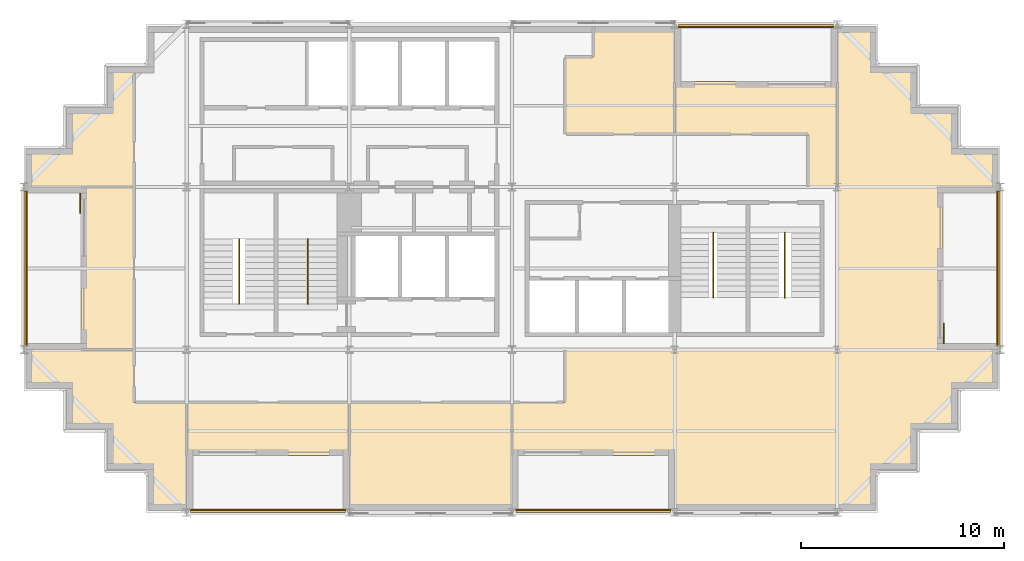
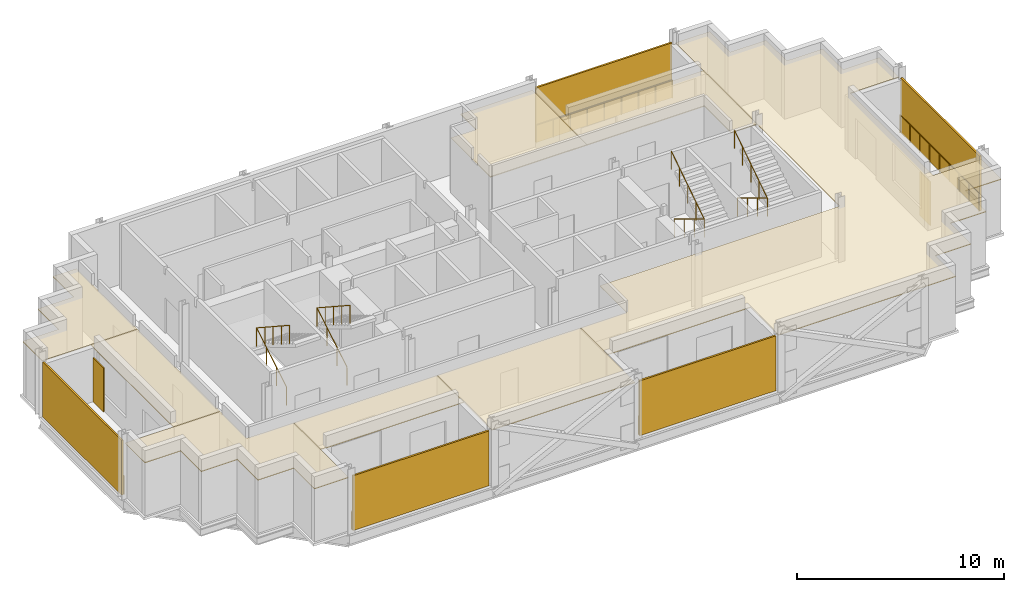
# One storey, part 8 of 8: 9 railings, 8 coverings, 7 shading devices.
"""IFC4 building model written with IfcOpenShell, lengths in metres."""

from ifc_helpers import new_model, si_unit, direction, frame, origin, origin_2d, place, context, subcontext, project, spatial, polyline, rectangle, circle, outline, extrude, material, layer, layer_set, type_object, element, save


model = new_model("IFC4")

# Units and contexts
model_context = context("Model", 3, precision=1e-05, world=origin(), true_north=direction((0.0, 1.0)))
body_context = subcontext(model_context, "Body", "Model", "MODEL_VIEW")
ifc_project = project(units=[si_unit("LENGTHUNIT", "METRE"), si_unit("AREAUNIT", "SQUARE_METRE"), si_unit("VOLUMEUNIT", "CUBIC_METRE"), si_unit("PLANEANGLEUNIT", "RADIAN"), si_unit("MASSUNIT", "GRAM", prefix="KILO")], contexts=[model_context])

# Site, building, storey
site_placement = place(None, origin())
site = spatial("IfcSite", under=ifc_project, at=site_placement, CompositionType="ELEMENT")
building_placement = place(site_placement, origin())
building = spatial("IfcBuilding", under=site, at=building_placement, Name="Immortelle Media Tower", CompositionType="ELEMENT")
storey_placement = place(building_placement, frame((0.0, 0.0, 267.0)))
storey = spatial("IfcBuildingStorey", under=building, at=storey_placement, Name="L58", CompositionType="ELEMENT", Elevation=267.0)

# Railings
ifc_material_1 = material(Name="Powder-coated aluminium fretwork panel, laminated glass backing", Category="aluminium")
railing_type_1 = type_object("IfcRailingType", Name="Fretwork balustrade 1100", PredefinedType="BALUSTRADE", material=ifc_material_1)
railing_1_placement = place(storey_placement, frame((8.197021484375, 0.139892578125, 0.0)))
element("IfcRailing", 1, at=railing_1_placement, inside=storey, type_object=railing_type_1, Name="Fretwork balustrade L58 S0", PredefinedType="BALUSTRADE", context=body_context, shape_type="SweptSolid", body=[
    extrude(circle(Radius=0.02490234375, at=origin_2d()), frame((0.0, 0.0, 1.0751953125), z_axis=(1.0, 0.0, 0.0), x_axis=(0.0, 1.0, 0.0)), (0.0, 0.0, 1.0), 7.6025390625),
    extrude(circle(Radius=0.02001953125, at=origin_2d()), origin(), (0.0, 0.0, 1.0), 1.050048828125),
    extrude(circle(Radius=0.02001953125, at=origin_2d()), frame((0.9501953125, 0.0, 0.0)), (0.0, 0.0, 1.0), 1.050048828125),
    extrude(circle(Radius=0.02001953125, at=origin_2d()), frame((1.900634765625, 0.0, 0.0)), (0.0, 0.0, 1.0), 1.050048828125),
    extrude(circle(Radius=0.02001953125, at=origin_2d()), frame((2.85107421875, 0.0, 0.0)), (0.0, 0.0, 1.0), 1.050048828125),
    extrude(circle(Radius=0.02001953125, at=origin_2d()), frame((3.80126953125, 0.0, 0.0)), (0.0, 0.0, 1.0), 1.050048828125),
    extrude(circle(Radius=0.02001953125, at=origin_2d()), frame((4.75146484375, 0.0, 0.0)), (0.0, 0.0, 1.0), 1.050048828125),
    extrude(circle(Radius=0.02001953125, at=origin_2d()), frame((5.701904296875, 0.0, 0.0)), (0.0, 0.0, 1.0), 1.050048828125),
    extrude(circle(Radius=0.02001953125, at=origin_2d()), frame((6.65234375, 0.0, 0.0)), (0.0, 0.0, 1.0), 1.050048828125),
    extrude(circle(Radius=0.02001953125, at=origin_2d()), frame((7.6025390625, 0.0, 0.0)), (0.0, 0.0, 1.0), 1.050048828125),
])
railing_2_placement = place(storey_placement, frame((24.200439453125, 0.139892578125, 0.0)))
element("IfcRailing", 2, at=railing_2_placement, inside=storey, type_object=railing_type_1, Name="Fretwork balustrade L58 S2", PredefinedType="BALUSTRADE", context=body_context, shape_type="SweptSolid", body=[
    extrude(circle(Radius=0.02490234375, at=origin_2d()), frame((0.0, 0.0, 1.0751953125), z_axis=(1.0, 0.0, 0.0), x_axis=(0.0, 1.0, 0.0)), (0.0, 0.0, 1.0), 7.59912109375),
    extrude(circle(Radius=0.02001953125, at=origin_2d()), origin(), (0.0, 0.0, 1.0), 1.050048828125),
    extrude(circle(Radius=0.02001953125, at=origin_2d()), frame((0.949951171875, 0.0, 0.0)), (0.0, 0.0, 1.0), 1.050048828125),
    extrude(circle(Radius=0.02001953125, at=origin_2d()), frame((1.89990234375, 0.0, 0.0)), (0.0, 0.0, 1.0), 1.050048828125),
    extrude(circle(Radius=0.02001953125, at=origin_2d()), frame((2.849609375, 0.0, 0.0)), (0.0, 0.0, 1.0), 1.050048828125),
    extrude(circle(Radius=0.02001953125, at=origin_2d()), frame((3.799560546875, 0.0, 0.0)), (0.0, 0.0, 1.0), 1.050048828125),
    extrude(circle(Radius=0.02001953125, at=origin_2d()), frame((4.74951171875, 0.0, 0.0)), (0.0, 0.0, 1.0), 1.050048828125),
    extrude(circle(Radius=0.02001953125, at=origin_2d()), frame((5.69921875, 0.0, 0.0)), (0.0, 0.0, 1.0), 1.050048828125),
    extrude(circle(Radius=0.02001953125, at=origin_2d()), frame((6.649169921875, 0.0, 0.0)), (0.0, 0.0, 1.0), 1.050048828125),
    extrude(circle(Radius=0.02001953125, at=origin_2d()), frame((7.59912109375, 0.0, 0.0)), (0.0, 0.0, 1.0), 1.050048828125),
])
railing_3_placement = place(storey_placement, frame((47.860107421875, 8.18798828125, 0.0)))
element("IfcRailing", 3, at=railing_3_placement, inside=storey, type_object=railing_type_1, Name="Fretwork balustrade L58 E0", PredefinedType="BALUSTRADE", context=body_context, shape_type="SweptSolid", body=[
    extrude(circle(Radius=0.02490234375, at=origin_2d()), frame((0.0, 0.0, 1.0751953125), z_axis=(0.0, 1.0, 0.0), x_axis=(-1.0, 0.0, 0.0)), (0.0, 0.0, 1.0), 7.6240234375),
    extrude(circle(Radius=0.02001953125, at=origin_2d()), origin(), (0.0, 0.0, 1.0), 1.050048828125),
    extrude(circle(Radius=0.02001953125, at=origin_2d()), frame((0.0, 0.953125, 0.0)), (0.0, 0.0, 1.0), 1.050048828125),
    extrude(circle(Radius=0.02001953125, at=origin_2d()), frame((0.0, 1.906005859375, 0.0)), (0.0, 0.0, 1.0), 1.050048828125),
    extrude(circle(Radius=0.02001953125, at=origin_2d()), frame((0.0, 2.85888671875, 0.0)), (0.0, 0.0, 1.0), 1.050048828125),
    extrude(circle(Radius=0.02001953125, at=origin_2d()), frame((0.0, 3.81201171875, 0.0)), (0.0, 0.0, 1.0), 1.050048828125),
    extrude(circle(Radius=0.02001953125, at=origin_2d()), frame((0.0, 4.76513671875, 0.0)), (0.0, 0.0, 1.0), 1.050048828125),
    extrude(circle(Radius=0.02001953125, at=origin_2d()), frame((0.0, 5.718017578125, 0.0)), (0.0, 0.0, 1.0), 1.050048828125),
    extrude(circle(Radius=0.02001953125, at=origin_2d()), frame((0.0, 6.6708984375, 0.0)), (0.0, 0.0, 1.0), 1.050048828125),
    extrude(circle(Radius=0.02001953125, at=origin_2d()), frame((0.0, 7.6240234375, 0.0)), (0.0, 0.0, 1.0), 1.050048828125),
])
railing_4_placement = place(storey_placement, frame((39.802978515625, 23.860107421875, 0.0)))
element("IfcRailing", 4, at=railing_4_placement, inside=storey, type_object=railing_type_1, Name="Fretwork balustrade L58 N0", PredefinedType="BALUSTRADE", context=body_context, shape_type="SweptSolid", body=[
    extrude(circle(Radius=0.02490234375, at=origin_2d()), frame((0.0, 0.0, 1.0751953125), z_axis=(-1.0, 0.0, 0.0), x_axis=(0.0, -1.0, 0.0)), (0.0, 0.0, 1.0), 7.6025390625),
    extrude(circle(Radius=0.02001953125, at=origin_2d()), origin(), (0.0, 0.0, 1.0), 1.050048828125),
    extrude(circle(Radius=0.02001953125, at=origin_2d()), frame((-0.9501953125, 0.0, 0.0)), (0.0, 0.0, 1.0), 1.050048828125),
    extrude(circle(Radius=0.02001953125, at=origin_2d()), frame((-1.900634765625, 0.0, 0.0)), (0.0, 0.0, 1.0), 1.050048828125),
    extrude(circle(Radius=0.02001953125, at=origin_2d()), frame((-2.85107421875, 0.0, 0.0)), (0.0, 0.0, 1.0), 1.050048828125),
    extrude(circle(Radius=0.02001953125, at=origin_2d()), frame((-3.80126953125, 0.0, 0.0)), (0.0, 0.0, 1.0), 1.050048828125),
    extrude(circle(Radius=0.02001953125, at=origin_2d()), frame((-4.75146484375, 0.0, 0.0)), (0.0, 0.0, 1.0), 1.050048828125),
    extrude(circle(Radius=0.02001953125, at=origin_2d()), frame((-5.701904296875, 0.0, 0.0)), (0.0, 0.0, 1.0), 1.050048828125),
    extrude(circle(Radius=0.02001953125, at=origin_2d()), frame((-6.65234375, 0.0, 0.0)), (0.0, 0.0, 1.0), 1.050048828125),
    extrude(circle(Radius=0.02001953125, at=origin_2d()), frame((-7.6025390625, 0.0, 0.0)), (0.0, 0.0, 1.0), 1.050048828125),
])
railing_5_placement = place(storey_placement, frame((0.139892578125, 15.81201171875, 0.0)))
element("IfcRailing", 5, at=railing_5_placement, inside=storey, type_object=railing_type_1, Name="Fretwork balustrade L58 W0", PredefinedType="BALUSTRADE", context=body_context, shape_type="SweptSolid", body=[
    extrude(circle(Radius=0.02490234375, at=origin_2d()), frame((0.0, 0.0, 1.0751953125), z_axis=(0.0, -1.0, 0.0), x_axis=(1.0, 0.0, 0.0)), (0.0, 0.0, 1.0), 7.6240234375),
    extrude(circle(Radius=0.02001953125, at=origin_2d()), origin(), (0.0, 0.0, 1.0), 1.050048828125),
    extrude(circle(Radius=0.02001953125, at=origin_2d()), frame((0.0, -0.953125, 0.0)), (0.0, 0.0, 1.0), 1.050048828125),
    extrude(circle(Radius=0.02001953125, at=origin_2d()), frame((0.0, -1.906005859375, 0.0)), (0.0, 0.0, 1.0), 1.050048828125),
    extrude(circle(Radius=0.02001953125, at=origin_2d()), frame((0.0, -2.85888671875, 0.0)), (0.0, 0.0, 1.0), 1.050048828125),
    extrude(circle(Radius=0.02001953125, at=origin_2d()), frame((0.0, -3.81201171875, 0.0)), (0.0, 0.0, 1.0), 1.050048828125),
    extrude(circle(Radius=0.02001953125, at=origin_2d()), frame((0.0, -4.76513671875, 0.0)), (0.0, 0.0, 1.0), 1.050048828125),
    extrude(circle(Radius=0.02001953125, at=origin_2d()), frame((0.0, -5.718017578125, 0.0)), (0.0, 0.0, 1.0), 1.050048828125),
    extrude(circle(Radius=0.02001953125, at=origin_2d()), frame((0.0, -6.6708984375, 0.0)), (0.0, 0.0, 1.0), 1.050048828125),
    extrude(circle(Radius=0.02001953125, at=origin_2d()), frame((0.0, -7.6240234375, 0.0)), (0.0, 0.0, 1.0), 1.050048828125),
])

# Shading devices
ifc_material_2 = material(Name="Pale aluminium louvre blades", Category="aluminium")
ifc_layer_1 = layer(ifc_material_2, 0.10009765625)
ifc_layer_set_1 = layer_set([ifc_layer_1], Name="Pale aluminium louvre blades")
shading_device_type_1 = type_object("IfcShadingDeviceType", Name="Jalousie screen 100", PredefinedType="JALOUSIE", material=ifc_layer_set_1)
shading_device_1_placement = place(storey_placement, frame((11.998291015625, 0.050048828125, 0.0), z_axis=(0.0, 0.0, 1.0), x_axis=(1.0, 0.0, 0.0)))
element("IfcShadingDevice", 6, at=shading_device_1_placement, inside=storey, type_object=shading_device_type_1, Name="Jalousie screen L58 S0", PredefinedType="JALOUSIE", context=body_context, shape_type="SweptSolid", body=[
    extrude(rectangle(XDim=7.6025390625, YDim=0.10009765625, at=origin_2d()), origin(), (0.0, 0.0, 1.0), 3.238037109375),
])
shading_device_2_placement = place(storey_placement, frame((28.0, 0.050048828125, 0.0), z_axis=(0.0, 0.0, 1.0), x_axis=(1.0, 0.0, 0.0)))
element("IfcShadingDevice", 7, at=shading_device_2_placement, inside=storey, type_object=shading_device_type_1, Name="Jalousie screen L58 S2", PredefinedType="JALOUSIE", context=body_context, shape_type="SweptSolid", body=[
    extrude(rectangle(XDim=7.59912109375, YDim=0.10009765625, at=origin_2d()), origin(), (0.0, 0.0, 1.0), 3.238037109375),
])
shading_device_3_placement = place(storey_placement, frame((47.949951171875, 12.0, 0.0), z_axis=(0.0, 0.0, 1.0), x_axis=(0.0, 1.0, 0.0)))
element("IfcShadingDevice", 8, at=shading_device_3_placement, inside=storey, type_object=shading_device_type_1, Name="Jalousie screen L58 E0", PredefinedType="JALOUSIE", context=body_context, shape_type="SweptSolid", body=[
    extrude(rectangle(XDim=7.6240234375, YDim=0.10009765625, at=origin_2d()), origin(), (0.0, 0.0, 1.0), 3.238037109375),
])
shading_device_4_placement = place(storey_placement, frame((36.001708984375, 23.949951171875, 0.0), z_axis=(0.0, 0.0, 1.0), x_axis=(-1.0, 0.0, 0.0)))
element("IfcShadingDevice", 9, at=shading_device_4_placement, inside=storey, type_object=shading_device_type_1, Name="Jalousie screen L58 N0", PredefinedType="JALOUSIE", context=body_context, shape_type="SweptSolid", body=[
    extrude(rectangle(XDim=7.6025390625, YDim=0.10009765625, at=origin_2d()), origin(), (0.0, 0.0, 1.0), 3.238037109375),
])
shading_device_5_placement = place(storey_placement, frame((0.050048828125, 12.0, 0.0), z_axis=(0.0, 0.0, 1.0), x_axis=(0.0, -1.0, 0.0)))
element("IfcShadingDevice", 10, at=shading_device_5_placement, inside=storey, type_object=shading_device_type_1, Name="Jalousie screen L58 W0", PredefinedType="JALOUSIE", context=body_context, shape_type="SweptSolid", body=[
    extrude(rectangle(XDim=7.6240234375, YDim=0.10009765625, at=origin_2d()), origin(), (0.0, 0.0, 1.0), 3.238037109375),
])
ifc_material_3 = material(Name="Pale aluminium louvre blades in a folding frame", Category="aluminium")
ifc_layer_2 = layer(ifc_material_3, 0.050048828125)
ifc_layer_set_2 = layer_set([ifc_layer_2], Name="Pale aluminium louvre blades in a folding frame")
shading_device_type_2 = type_object("IfcShadingDeviceType", Name="Louvred loggia shutter", PredefinedType="SHUTTER", material=ifc_layer_set_2)
for number, where, z_axis, x_axis, name in (
    (11, (45.22509765625, 8.800048828125, 0.0), (0.0, 0.0, 1.0), (0.0, 1.0, 0.0), "Loggia shutter L58 E0"),
    (12, (2.77490234375, 15.199951171875, 0.0), (0.0, 0.0, 1.0), (0.0, -1.0, 0.0), "Loggia shutter L58 W0"),
):
    element("IfcShadingDevice", number, at=place(storey_placement, frame(where, z_axis=z_axis, x_axis=x_axis)), inside=storey, type_object=shading_device_type_2, Name=name, PredefinedType="SHUTTER", context=body_context, shape_type="SweptSolid", body=[
        extrude(rectangle(XDim=1.0, YDim=0.050048828125, at=origin_2d()), origin(), (0.0, 0.0, 1.0), 2.60009765625),
    ])

# Railings
ifc_material_4 = material(Name="Stainless steel AISI 316", Category="steel")
railing_type_2 = type_object("IfcRailingType", Name="Stair guard 1100", PredefinedType="GUARDRAIL", material=ifc_material_4)
for number, where, name in (
    (13, (10.574951171875, 10.5400390625, 0.173828125), "Stair guard SW1"),
    (14, (13.949951171875, 10.5400390625, 0.173828125), "Stair guard SW2"),
):
    element("IfcRailing", number, at=place(storey_placement, frame(where)), inside=storey, type_object=railing_type_2, Name=name, PredefinedType="GUARDRAIL", context=body_context, shape_type="SweptSolid", body=[
        extrude(circle(Radius=0.02392578125, at=origin_2d()), frame((0.0, 0.0, 1.076171875), z_axis=(0.0, 0.857582100076, 0.514347102285), x_axis=(-1.0, 0.0, 0.0)), (0.0, 0.0, 1.0), 3.381591796875),
        extrude(circle(Radius=0.02392578125, at=origin_2d()), frame((0.0, 2.89990234375, 2.8154296875), z_axis=(0.0, -0.836827423118, 0.547466769693), x_axis=(1.0, 0.0, 0.0)), (0.0, 0.0, 1.0), 3.81201171875),
        extrude(circle(Radius=0.02099609375, at=origin_2d()), origin(), (0.0, 0.0, 1.0), 1.052001953125),
        extrude(circle(Radius=0.02099609375, at=origin_2d()), frame((0.0, 0.966552734375, 0.579833984375)), (0.0, 0.0, 1.0), 1.052001953125),
        extrude(circle(Radius=0.02099609375, at=origin_2d()), frame((0.0, 1.933349609375, 1.159423828125)), (0.0, 0.0, 1.0), 1.052001953125),
        extrude(circle(Radius=0.02099609375, at=origin_2d()), frame((0.0, 2.89990234375, 1.7392578125)), (0.0, 0.0, 1.0), 1.052001953125),
        extrude(circle(Radius=0.02099609375, at=origin_2d()), frame((0.0, 2.1025390625, 2.260986328125)), (0.0, 0.0, 1.0), 1.052001953125),
        extrude(circle(Radius=0.02099609375, at=origin_2d()), frame((0.0, 1.304931640625, 2.78271484375)), (0.0, 0.0, 1.0), 1.052001953125),
        extrude(circle(Radius=0.02099609375, at=origin_2d()), frame((0.0, 0.50732421875, 3.304443359375)), (0.0, 0.0, 1.0), 1.052001953125),
        extrude(circle(Radius=0.02099609375, at=origin_2d()), frame((0.0, -0.2900390625, 3.826171875)), (0.0, 0.0, 1.0), 1.052001953125),
    ])
for number, where, name in (
    (15, (33.89990234375, 13.4599609375, 0.173828125), "Stair guard SE1"),
    (16, (37.425048828125, 13.4599609375, 0.173828125), "Stair guard SE2"),
):
    element("IfcRailing", number, at=place(storey_placement, frame(where)), inside=storey, type_object=railing_type_2, Name=name, PredefinedType="GUARDRAIL", context=body_context, shape_type="SweptSolid", body=[
        extrude(circle(Radius=0.02392578125, at=origin_2d()), frame((0.0, 0.0, 1.076171875), z_axis=(0.0, -0.857582100076, 0.514347102285), x_axis=(1.0, 0.0, 0.0)), (0.0, 0.0, 1.0), 3.381591796875),
        extrude(circle(Radius=0.02392578125, at=origin_2d()), frame((0.0, -2.89990234375, 2.8154296875), z_axis=(0.0, 0.836827423118, 0.547466769693), x_axis=(-1.0, 0.0, 0.0)), (0.0, 0.0, 1.0), 3.81201171875),
        extrude(circle(Radius=0.02099609375, at=origin_2d()), origin(), (0.0, 0.0, 1.0), 1.052001953125),
        extrude(circle(Radius=0.02099609375, at=origin_2d()), frame((0.0, -0.966552734375, 0.579833984375)), (0.0, 0.0, 1.0), 1.052001953125),
        extrude(circle(Radius=0.02099609375, at=origin_2d()), frame((0.0, -1.933349609375, 1.159423828125)), (0.0, 0.0, 1.0), 1.052001953125),
        extrude(circle(Radius=0.02099609375, at=origin_2d()), frame((0.0, -2.89990234375, 1.7392578125)), (0.0, 0.0, 1.0), 1.052001953125),
        extrude(circle(Radius=0.02099609375, at=origin_2d()), frame((0.0, -2.1025390625, 2.260986328125)), (0.0, 0.0, 1.0), 1.052001953125),
        extrude(circle(Radius=0.02099609375, at=origin_2d()), frame((0.0, -1.304931640625, 2.78271484375)), (0.0, 0.0, 1.0), 1.052001953125),
        extrude(circle(Radius=0.02099609375, at=origin_2d()), frame((0.0, -0.50732421875, 3.304443359375)), (0.0, 0.0, 1.0), 1.052001953125),
        extrude(circle(Radius=0.02099609375, at=origin_2d()), frame((0.0, 0.2900390625, 3.826171875)), (0.0, 0.0, 1.0), 1.052001953125),
    ])

# Coverings
ifc_material_5 = material(Name="Mineral fibre tile ceiling")
ifc_layer_3 = layer(ifc_material_5, 0.050048828125)
ifc_layer_set_3 = layer_set([ifc_layer_3], Name="Mineral fibre tile ceiling")
covering_type = type_object("IfcCoveringType", Name="Suspended ceiling 50", PredefinedType="CEILING", material=ifc_layer_set_3)
covering_1_placement = place(storey_placement, frame((0.0, 0.0, 3.1220703125)))
element("IfcCovering", 17, at=covering_1_placement, inside=storey, type_object=covering_type, Name="Ceiling L58-001", PredefinedType="CEILING", context=body_context, shape_type="SweptSolid", body=[
    extrude(outline(polyline([(16.0, 0.10009765625), (16.0, 2.800048828125), (16.0, 5.39990234375), (24.0, 5.39990234375), (24.0, 2.800048828125), (24.0, 0.10009765625), (16.0, 0.10009765625)])), origin(), (0.0, 0.0, 1.0), 0.050048828125),
])
covering_2_placement = place(storey_placement, frame((0.0, 0.0, 3.1220703125)))
element("IfcCovering", 18, at=covering_2_placement, inside=storey, type_object=covering_type, Name="Ceiling L58-002", PredefinedType="CEILING", context=body_context, shape_type="SweptSolid", body=[
    extrude(outline(polyline([(8.0, 2.800048828125), (8.0, 5.39990234375), (16.0, 5.39990234375), (16.0, 2.800048828125), (8.0, 2.800048828125)])), origin(), (0.0, 0.0, 1.0), 0.050048828125),
])
covering_3_placement = place(storey_placement, frame((0.0, 0.0, 3.1220703125)))
element("IfcCovering", 19, at=covering_3_placement, inside=storey, type_object=covering_type, Name="Ceiling L58-003", PredefinedType="CEILING", context=body_context, shape_type="SweptSolid", body=[
    extrude(outline(polyline([(4.10009765625, 2.10009765625), (4.10009765625, 4.10009765625), (4.0, 4.10009765625), (2.10009765625, 4.10009765625), (2.10009765625, 6.10009765625), (0.10009765625, 6.10009765625), (0.10009765625, 8.0), (2.800048828125, 8.0), (4.0, 8.0), (5.39990234375, 8.0), (5.39990234375, 5.39990234375), (8.0, 5.39990234375), (8.0, 2.800048828125), (8.0, 0.10009765625), (6.10009765625, 0.10009765625), (6.10009765625, 2.10009765625), (4.10009765625, 2.10009765625)])), origin(), (0.0, 0.0, 1.0), 0.050048828125),
])
covering_4_placement = place(storey_placement, frame((0.0, 0.0, 3.1220703125)))
element("IfcCovering", 20, at=covering_4_placement, inside=storey, type_object=covering_type, Name="Ceiling L58-004", PredefinedType="CEILING", context=body_context, shape_type="SweptSolid", body=[
    extrude(outline(polyline([(26.60009765625, 5.39990234375), (26.60009765625, 8.0), (32.0, 8.0), (40.0, 8.0), (40.0, 16.0), (40.0, 21.199951171875), (40.0, 23.89990234375), (41.89990234375, 23.89990234375), (41.89990234375, 21.89990234375), (43.89990234375, 21.89990234375), (43.89990234375, 19.89990234375), (45.89990234375, 19.89990234375), (45.89990234375, 17.89990234375), (47.89990234375, 17.89990234375), (47.89990234375, 16.0), (45.199951171875, 16.0), (45.199951171875, 8.0), (47.89990234375, 8.0), (47.89990234375, 6.10009765625), (45.89990234375, 6.10009765625), (45.89990234375, 4.10009765625), (43.89990234375, 4.10009765625), (43.89990234375, 2.10009765625), (41.89990234375, 2.10009765625), (41.89990234375, 0.10009765625), (40.0, 0.10009765625), (32.0, 0.10009765625), (32.0, 2.800048828125), (24.0, 2.800048828125), (24.0, 5.39990234375), (26.60009765625, 5.39990234375)])), origin(), (0.0, 0.0, 1.0), 0.050048828125),
])
covering_5_placement = place(storey_placement, frame((0.0, 0.0, 3.1220703125)))
element("IfcCovering", 21, at=covering_5_placement, inside=storey, type_object=covering_type, Name="Ceiling L58-005", PredefinedType="CEILING", context=body_context, shape_type="SweptSolid", body=[
    extrude(outline(polyline([(5.39990234375, 8.0), (2.800048828125, 8.0), (2.800048828125, 16.0), (5.39990234375, 16.0), (5.39990234375, 8.0)])), origin(), (0.0, 0.0, 1.0), 0.050048828125),
])
covering_6_placement = place(storey_placement, frame((0.0, 0.0, 3.1220703125)))
element("IfcCovering", 22, at=covering_6_placement, inside=storey, type_object=covering_type, Name="Ceiling L58-006", PredefinedType="CEILING", context=body_context, shape_type="SweptSolid", body=[
    extrude(outline(polyline([(2.10009765625, 17.89990234375), (2.10009765625, 19.89990234375), (4.10009765625, 19.89990234375), (4.10009765625, 21.89990234375), (5.39990234375, 21.89990234375), (5.39990234375, 19.449951171875), (5.39990234375, 16.0), (2.800048828125, 16.0), (0.10009765625, 16.0), (0.10009765625, 17.89990234375), (2.10009765625, 17.89990234375)])), origin(), (0.0, 0.0, 1.0), 0.050048828125),
])
covering_7_placement = place(storey_placement, frame((0.0, 0.0, 3.1220703125)))
element("IfcCovering", 23, at=covering_7_placement, inside=storey, type_object=covering_type, Name="Ceiling L58-007", PredefinedType="CEILING", context=body_context, shape_type="SweptSolid", body=[
    extrude(outline(polyline([(38.550048828125, 16.0), (38.550048828125, 18.60009765625), (32.0, 18.60009765625), (32.0, 21.199951171875), (40.0, 21.199951171875), (40.0, 16.0), (38.550048828125, 16.0)])), origin(), (0.0, 0.0, 1.0), 0.050048828125),
])
covering_8_placement = place(storey_placement, frame((0.0, 0.0, 3.1220703125)))
element("IfcCovering", 24, at=covering_8_placement, inside=storey, type_object=covering_type, Name="Ceiling L58-008", PredefinedType="CEILING", context=body_context, shape_type="SweptSolid", body=[
    extrude(outline(polyline([(27.0, 18.60009765625), (26.60009765625, 18.60009765625), (26.60009765625, 20.0), (26.60009765625, 22.39990234375), (28.0, 22.39990234375), (28.0, 23.89990234375), (32.0, 23.89990234375), (32.0, 21.199951171875), (32.0, 18.60009765625), (27.0, 18.60009765625)])), origin(), (0.0, 0.0, 1.0), 0.050048828125),
])

save(model, "model.ifc")
